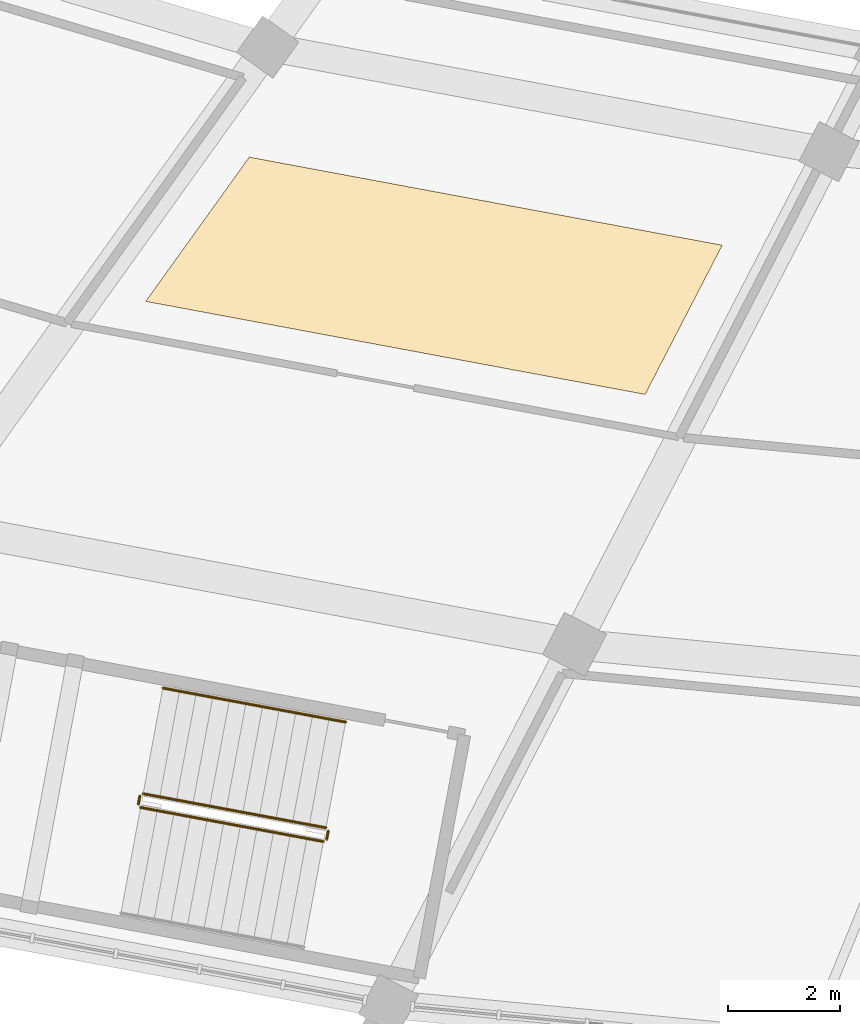
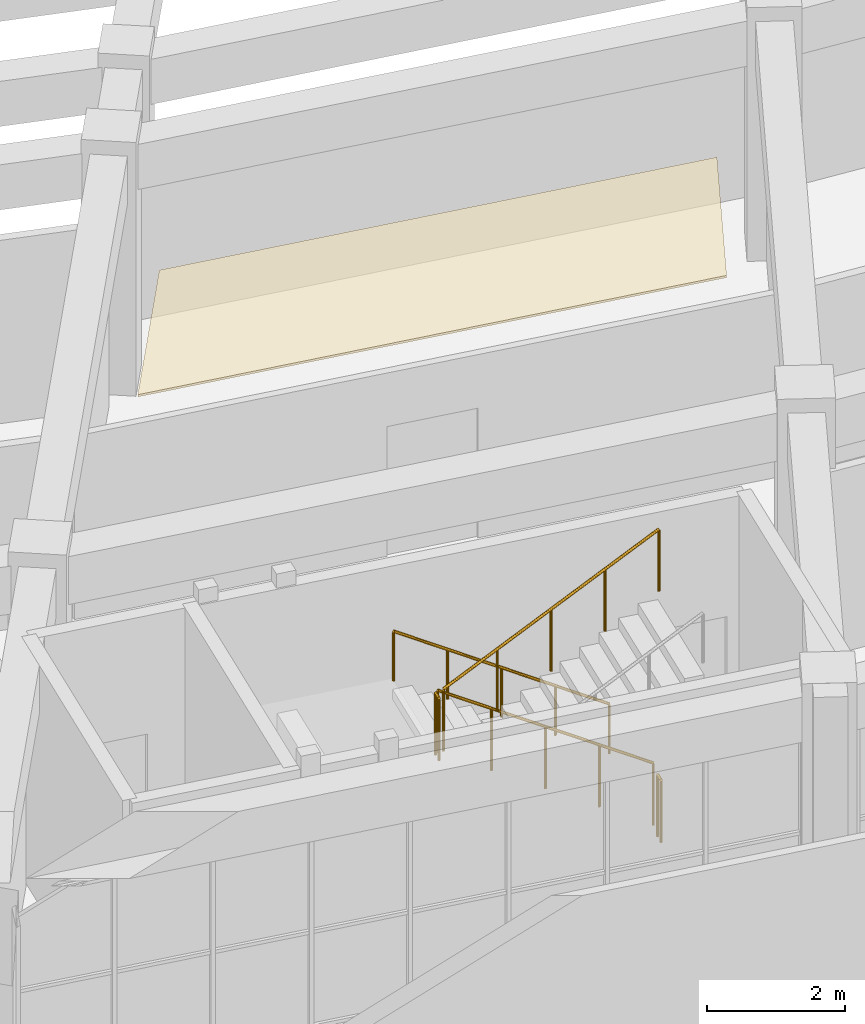
# One storey, part 122 of 145: 5 railings, 1 covering.
"""IFC4 building model written with IfcOpenShell, lengths in metres."""

from ifc_helpers import new_model, si_unit, direction, frame, origin, origin_2d, place, context, subcontext, project, spatial, polyline, circle, outline, extrude, material, layer, layer_set, type_object, element, save


model = new_model("IFC4")

# Units and contexts
model_context = context("Model", 3, precision=1e-05, world=origin(), true_north=direction((0.0, 1.0)))
body_context = subcontext(model_context, "Body", "Model", "MODEL_VIEW")
ifc_project = project(units=[si_unit("LENGTHUNIT", "METRE"), si_unit("AREAUNIT", "SQUARE_METRE"), si_unit("VOLUMEUNIT", "CUBIC_METRE"), si_unit("PLANEANGLEUNIT", "RADIAN"), si_unit("MASSUNIT", "GRAM", prefix="KILO")], contexts=[model_context])

# Site, building, storey
site_placement = place(None, origin())
site = spatial("IfcSite", under=ifc_project, at=site_placement, CompositionType="ELEMENT")
building_placement = place(site_placement, origin())
building = spatial("IfcBuilding", under=site, at=building_placement, Name="Mphavela Belvedere Stadium", CompositionType="ELEMENT")
storey_placement = place(building_placement, frame((0.0, 0.0, 10.199951171875)))
storey = spatial("IfcBuildingStorey", under=building, at=storey_placement, Name="L02", CompositionType="ELEMENT", Elevation=10.199951171875)

# Covering
ifc_material_1 = material(Name="Perforated acoustic mineral ceiling tile")
ifc_layer = layer(ifc_material_1, 0.0400390625)
ifc_layer_set = layer_set([ifc_layer], Name="Perforated acoustic mineral ceiling tile")
covering_type = type_object("IfcCoveringType", Name="COV-CEILING-ACOUSTIC", PredefinedType="CEILING", material=ifc_layer_set)
covering_placement = place(storey_placement, frame((0.0, 0.0, 3.199951171875)))
element("IfcCovering", 1, at=covering_placement, inside=storey, type_object=covering_type, Name="Concourse acoustic ceiling L02-34", PredefinedType="CEILING", context=body_context, shape_type="SweptSolid", body=[
    extrude(outline(polyline([(75.439453125, 30.367431640625), (83.8876953125, 28.7939453125), (82.510986328125, 26.129150390625), (73.590087890625, 27.79052734375), (75.439453125, 30.367431640625)])), origin(), (0.0, 0.0, 1.0), 0.0400390625),
])

# Railings
ifc_material_2 = material(Name="Painted galvanised steel stair guardrail", Category="steel")
railing_type_1 = type_object("IfcRailingType", Name="RAL-GUARD-1120", PredefinedType="GUARDRAIL", material=ifc_material_2)
railing_1_placement = place(storey_placement, frame((76.809814453125, 18.387939453125, 0.1875)))
element("IfcRailing", 2, at=railing_1_placement, inside=storey, type_object=railing_type_1, Name="L02 ST-C11 stair guard 1", PredefinedType="GUARDRAIL", context=body_context, shape_type="SweptSolid", body=[
    extrude(circle(Radius=0.02392578125, at=origin_2d()), frame((0.0, 0.0, 1.09619140625), z_axis=(-0.835218061398, 0.155530252743, 0.527466710226), x_axis=(-0.183068151301, -0.983100224789, 0.0)), (0.0, 0.0, 1.0), 3.91015625),
    extrude(circle(Radius=0.02099609375, at=origin_2d()), origin(), (0.0, 0.0, 1.0), 1.072021484375),
    extrude(circle(Radius=0.02099609375, at=origin_2d()), frame((-0.81640625, 0.152099609375, 0.515625)), (0.0, 0.0, 1.0), 1.072021484375),
    extrude(circle(Radius=0.02099609375, at=origin_2d()), frame((-1.6328125, 0.30419921875, 1.03125)), (0.0, 0.0, 1.0), 1.072021484375),
    extrude(circle(Radius=0.02099609375, at=origin_2d()), frame((-2.449462890625, 0.4560546875, 1.546875)), (0.0, 0.0, 1.0), 1.072021484375),
    extrude(circle(Radius=0.02099609375, at=origin_2d()), frame((-3.265869140625, 0.608154296875, 2.0625)), (0.0, 0.0, 1.0), 1.072021484375),
])
railing_2_placement = place(storey_placement, frame((73.485595703125, 18.956298828125, 2.25)))
element("IfcRailing", 3, at=railing_2_placement, inside=storey, type_object=railing_type_1, Name="L02 ST-C11 stair guard 2", PredefinedType="GUARDRAIL", context=body_context, shape_type="SweptSolid", body=[
    extrude(circle(Radius=0.02392578125, at=origin_2d()), frame((0.0, 0.0, 1.09619140625), z_axis=(-0.182322426032, -0.983238797529, 0.0), x_axis=(0.983238797529, -0.182322426032, 0.0)), (0.0, 0.0, 1.0), 0.14990234375),
    extrude(circle(Radius=0.02099609375, at=origin_2d()), origin(), (0.0, 0.0, 1.0), 1.072021484375),
    extrude(circle(Radius=0.02099609375, at=origin_2d()), frame((-0.02734375, -0.1474609375, 0.0)), (0.0, 0.0, 1.0), 1.072021484375),
])
railing_3_placement = place(storey_placement, frame((73.498291015625, 18.75048828125, 2.4375)))
element("IfcRailing", 4, at=railing_3_placement, inside=storey, type_object=railing_type_1, Name="L02 ST-C11 stair guard 3", PredefinedType="GUARDRAIL", context=body_context, shape_type="SweptSolid", body=[
    extrude(circle(Radius=0.02392578125, at=origin_2d()), frame((0.0, 0.0, 1.09619140625), z_axis=(0.835209949234, -0.155591178402, 0.527461587137), x_axis=(0.183139178697, 0.983086995757, 0.0)), (0.0, 0.0, 1.0), 3.91015625),
    extrude(circle(Radius=0.02099609375, at=origin_2d()), origin(), (0.0, 0.0, 1.0), 1.072021484375),
    extrude(circle(Radius=0.02099609375, at=origin_2d()), frame((0.81640625, -0.152099609375, 0.515625)), (0.0, 0.0, 1.0), 1.072021484375),
    extrude(circle(Radius=0.02099609375, at=origin_2d()), frame((1.6328125, -0.30419921875, 1.03125)), (0.0, 0.0, 1.0), 1.072021484375),
    extrude(circle(Radius=0.02099609375, at=origin_2d()), frame((2.449462890625, -0.456298828125, 1.546875)), (0.0, 0.0, 1.0), 1.072021484375),
    extrude(circle(Radius=0.02099609375, at=origin_2d()), frame((3.265869140625, -0.6083984375, 2.0625)), (0.0, 0.0, 1.0), 1.072021484375),
])
railing_4_placement = place(storey_placement, frame((76.849853515625, 18.32958984375, 0.0)))
element("IfcRailing", 5, at=railing_4_placement, inside=storey, type_object=railing_type_1, Name="L02 ST-C11 stair guard 4", PredefinedType="GUARDRAIL", context=body_context, shape_type="SweptSolid", body=[
    extrude(circle(Radius=0.02392578125, at=origin_2d()), frame((0.0, 0.0, 1.09619140625), z_axis=(-0.182322426032, -0.983238797529, 0.0), x_axis=(0.983238797529, -0.182322426032, 0.0)), (0.0, 0.0, 1.0), 0.14990234375),
    extrude(circle(Radius=0.02099609375, at=origin_2d()), origin(), (0.0, 0.0, 1.0), 1.072021484375),
    extrude(circle(Radius=0.02099609375, at=origin_2d()), frame((-0.02734375, -0.1474609375, 0.0)), (0.0, 0.0, 1.0), 1.072021484375),
])
ifc_material_3 = material(Name="Brushed stainless steel tubular handrail", Category="steel")
railing_type_2 = type_object("IfcRailingType", Name="RAL-HANDRAIL-900", PredefinedType="HANDRAIL", material=ifc_material_3)
railing_5_placement = place(storey_placement, frame((77.161376953125, 20.275390625, 0.1875)))
element("IfcRailing", 6, at=railing_5_placement, inside=storey, type_object=railing_type_2, Name="L02 ST-C11 stair handrail 1", PredefinedType="HANDRAIL", context=body_context, shape_type="SweptSolid", body=[
    extrude(circle(Radius=0.02392578125, at=origin_2d()), frame((0.0, 0.0, 0.8759765625), z_axis=(-0.835209949234, 0.155591178402, 0.527461587137), x_axis=(-0.183139178697, -0.983086995757, 0.0)), (0.0, 0.0, 1.0), 3.91015625),
    extrude(circle(Radius=0.02099609375, at=origin_2d()), origin(), (0.0, 0.0, 1.0), 0.851806640625),
    extrude(circle(Radius=0.02099609375, at=origin_2d()), frame((-0.81640625, 0.152099609375, 0.515625)), (0.0, 0.0, 1.0), 0.851806640625),
    extrude(circle(Radius=0.02099609375, at=origin_2d()), frame((-1.6328125, 0.30419921875, 1.03125)), (0.0, 0.0, 1.0), 0.851806640625),
    extrude(circle(Radius=0.02099609375, at=origin_2d()), frame((-2.449462890625, 0.456298828125, 1.546875)), (0.0, 0.0, 1.0), 0.851806640625),
    extrude(circle(Radius=0.02099609375, at=origin_2d()), frame((-3.265869140625, 0.6083984375, 2.0625)), (0.0, 0.0, 1.0), 0.851806640625),
])

save(model, "model.ifc")
